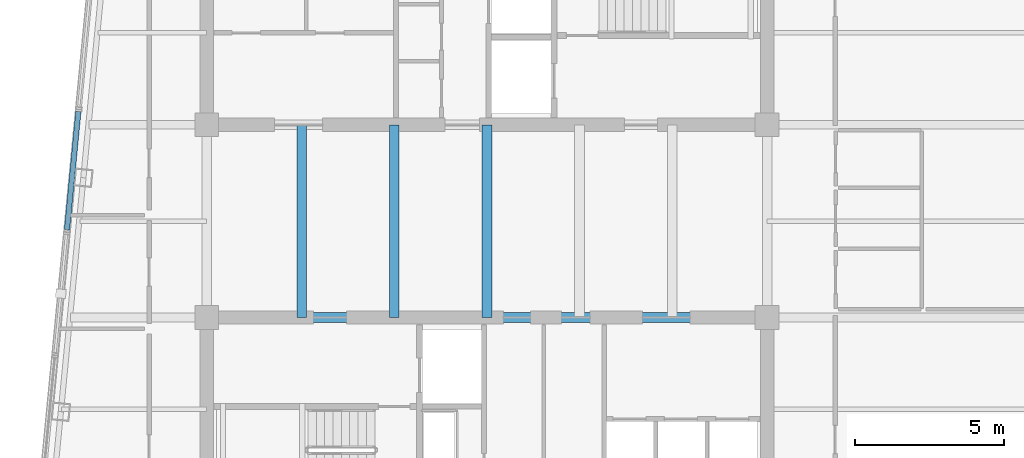
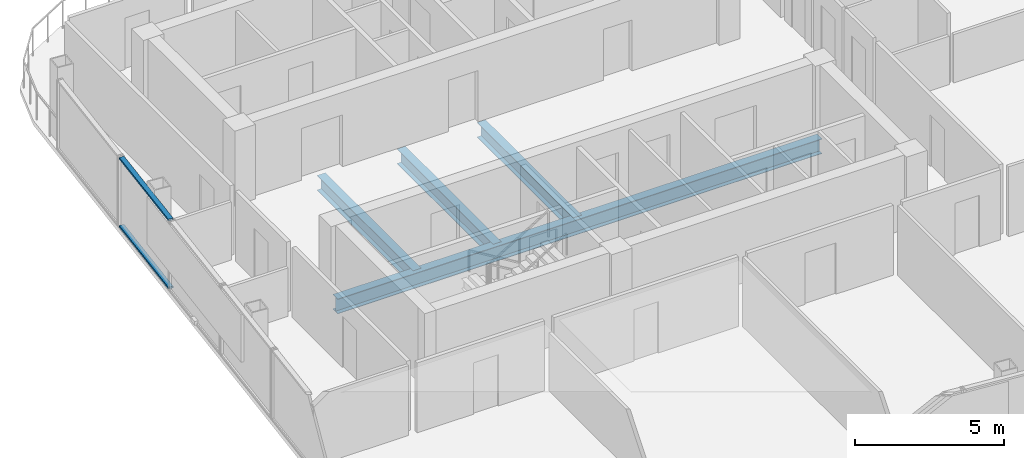
# One storey, part 8 of 23: 4 beams, 2 members, 1 element without a shape of its own.
"""IFC4 building model written with IfcOpenShell, lengths in metres."""

from ifc_helpers import new_model, si_unit, direction, frame, origin, origin_2d, place, context, subcontext, project, spatial, hollow_rectangle, i_section, extrude, material, layer, layer_set, material_profile, profile_set, type_object, element, aggregate, save


model = new_model("IFC4")

# Units and contexts
model_context = context("Model", 3, precision=1e-05, world=origin(), true_north=direction((0.0, 1.0)))
body_context = subcontext(model_context, "Body", "Model", "MODEL_VIEW")
ifc_project = project(units=[si_unit("LENGTHUNIT", "METRE"), si_unit("AREAUNIT", "SQUARE_METRE"), si_unit("VOLUMEUNIT", "CUBIC_METRE"), si_unit("PLANEANGLEUNIT", "RADIAN"), si_unit("MASSUNIT", "GRAM", prefix="KILO")], contexts=[model_context])

# Site, building, storey
site_placement = place(None, origin())
site = spatial("IfcSite", under=ifc_project, at=site_placement, CompositionType="ELEMENT")
building_placement = place(site_placement, origin())
building = spatial("IfcBuilding", under=site, at=building_placement, Name="Qhalaya Broadcast Tower", CompositionType="ELEMENT")
storey_placement = place(building_placement, frame((0.0, 0.0, 264.199951171875)))
storey = spatial("IfcBuildingStorey", under=building, at=storey_placement, Name="L78", CompositionType="ELEMENT", Elevation=264.199951171875)

# Beams
ifc_material_1 = material(Name="Structural Steel ASTM A992 Grade 50", Category="steel")
ifc_material_profile_1 = material_profile(ifc_material_1, i_section(OverallWidth=0.323974609375, OverallDepth=0.612060546875, WebThickness=0.0126953125, FlangeThickness=0.01904296875, at=origin_2d()), Name="W24X104")
ifc_profile_set_1 = profile_set([ifc_material_profile_1], Name="Structural Steel ASTM A992 Grade 50")
beam_type = type_object("IfcBeamType", Name="Core Frame Tie Beam B04", PredefinedType="BEAM", material=ifc_profile_set_1)
beam_placement = place(storey_placement, frame((-9.375, -2.625, -0.495849609375), z_axis=(1.0, 0.0, 0.0), x_axis=(0.0, 1.0, 0.0)))
element("IfcBeam", 1, at=beam_placement, inside=storey, type_object=beam_type, Name="L78 B04 L78-CCS1", PredefinedType="BEAM", context=body_context, shape_type="SweptSolid", body=[
    extrude(i_section(OverallWidth=0.323974609375, OverallDepth=0.612060546875, WebThickness=0.0126953125, FlangeThickness=0.01904296875, at=origin_2d()), origin(), (0.0, 0.0, 1.0), 18.75),
])
for number, where, z_axis, x_axis, name in (
    (2, (-6.199951171875, -2.625, -0.495849609375), (0.0, 1.0, 0.0), (-1.0, 0.0, 0.0), "L78 B04 L78-JC1-1"),
    (3, (-3.10009765625, -2.625, -0.495849609375), (0.0, 1.0, 0.0), (-1.0, 0.0, 0.0), "L78 B04 L78-JC2-1"),
    (4, (0.0, -2.625, -0.495849609375), (0.0, 1.0, 0.0), (-1.0, 0.0, 0.0), "L78 B04 L78-JC3-1"),
):
    element("IfcBeam", number, at=place(storey_placement, frame(where, z_axis=z_axis, x_axis=x_axis)), inside=storey, type_object=beam_type, Name=name, PredefinedType="BEAM", context=body_context, shape_type="SweptSolid", body=[
        extrude(i_section(OverallWidth=0.323974609375, OverallDepth=0.612060546875, WebThickness=0.0126953125, FlangeThickness=0.01904296875, at=origin_2d()), origin(), (0.0, 0.0, 1.0), 6.449951171875),
    ])

# Curtain wall, members
ifc_material_2 = material(Name="Solar-Control Low-E Triple Glazing", Category="glass")
ifc_layer = layer(ifc_material_2, 0.219970703125, Name="Solar-Control Low-E Triple Glazing")
ifc_layer_set = layer_set([ifc_layer], Name="Solar-Control Low-E Triple Glazing")
curtain_wall_type = type_object("IfcCurtainWallType", Name="High-Altitude Upper-Shaft Triple Low-E Curtain Wall CW-04", PredefinedType="NOTDEFINED", material=ifc_layer_set)
curtain_wall_placement = place(storey_placement, origin())
curtain_wall = element("IfcCurtainWall", 5, at=curtain_wall_placement, inside=storey, type_object=curtain_wall_type, Name="L78 Unitised Curtain Wall L78-CW-W2", PredefinedType="NOTDEFINED")
ifc_material_3 = material(Name="Anodised Aluminium 6063-T6", Category="aluminium")
ifc_material_profile_2 = material_profile(ifc_material_3, hollow_rectangle(XDim=0.074951171875, YDim=0.179931640625, WallThickness=0.00390625, at=origin_2d()), Name="ALU-TRN 75x180x4")
ifc_profile_set_2 = profile_set([ifc_material_profile_2], Name="Anodised Aluminium 6063-T6")
member_type = type_object("IfcMemberType", Name="Unitised Curtain-Wall Transom T01", PredefinedType="USERDEFINED", material=ifc_profile_set_2)
member_1_placement = place(storey_placement, frame((-13.6708984375, 4.2685546875, 0.03759765625), z_axis=(-0.095816433772, -0.995399021006, 0.0), x_axis=(0.0, 0.0, 1.0)))
member_1 = element("IfcMember", 6, at=member_1_placement, type_object=member_type, Name="CW-04 transom 1.1", ObjectType="TRANSOM", PredefinedType="USERDEFINED", context=body_context, shape_type="SweptSolid", body=[
    extrude(hollow_rectangle(XDim=0.074951171875, YDim=0.179931640625, WallThickness=0.00390625, at=origin_2d()), origin(), (0.0, 0.0, 1.0), 3.97998046875),
])
member_2_placement = place(storey_placement, frame((-13.6708984375, 4.2685546875, 2.822509765625), z_axis=(-0.095816433772, -0.995399021006, 0.0), x_axis=(0.0, 0.0, 1.0)))
member_2 = element("IfcMember", 7, at=member_2_placement, type_object=member_type, Name="CW-04 transom 1.2", ObjectType="TRANSOM", PredefinedType="USERDEFINED", context=body_context, shape_type="SweptSolid", body=[
    extrude(hollow_rectangle(XDim=0.074951171875, YDim=0.179931640625, WallThickness=0.00390625, at=origin_2d()), origin(), (0.0, 0.0, 1.0), 3.97998046875),
])
aggregate(curtain_wall, [member_1, member_2])

save(model, "model.ifc")
